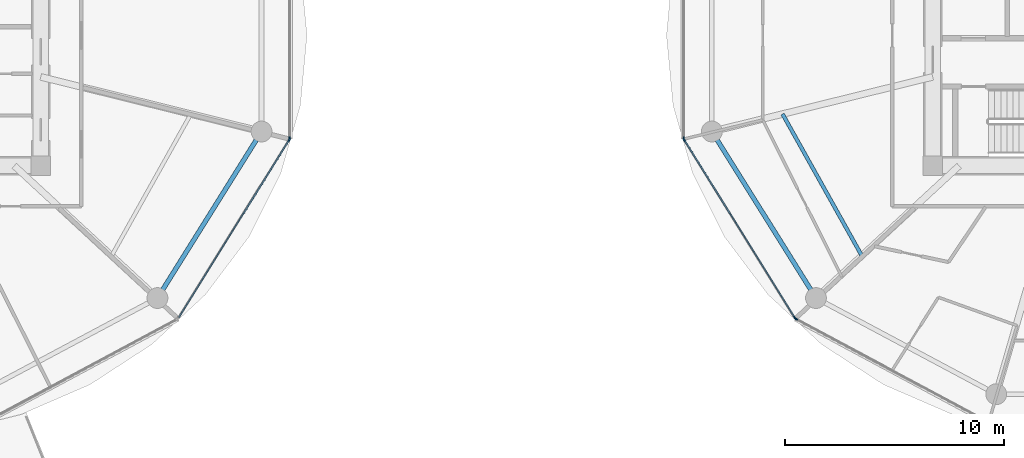
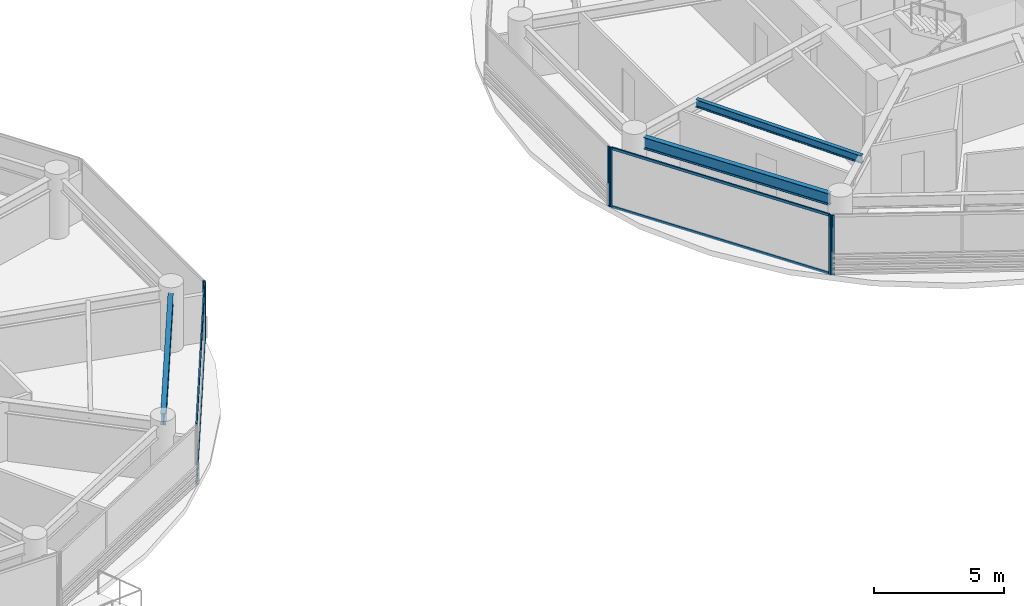
# One storey, part 6 of 28: 10 members, 3 beams, 5 elements without a shape of their own.
"""IFC4 building model written with IfcOpenShell, lengths in metres."""

from ifc_helpers import new_model, si_unit, direction, frame, origin, origin_2d, place, context, subcontext, project, spatial, rectangle, i_section, extrude, source, transform, mapped, material, layer, layer_set, material_profile, profile_set, type_object, type_shapes, element, aggregate, save


model = new_model("IFC4")

# Units and contexts
model_context = context("Model", 3, precision=1e-05, world=origin(), true_north=direction((0.0, 1.0)))
body_context = subcontext(model_context, "Body", "Model", "MODEL_VIEW")
ifc_project = project(units=[si_unit("LENGTHUNIT", "METRE"), si_unit("AREAUNIT", "SQUARE_METRE"), si_unit("VOLUMEUNIT", "CUBIC_METRE"), si_unit("PLANEANGLEUNIT", "RADIAN"), si_unit("MASSUNIT", "GRAM", prefix="KILO")], contexts=[model_context])

# Site, building, storey
site_placement = place(None, origin())
site = spatial("IfcSite", under=ifc_project, at=site_placement, CompositionType="ELEMENT")
building_placement = place(site_placement, origin())
building = spatial("IfcBuilding", under=site, at=building_placement, Name="Norrkilde Senior Care Towers", CompositionType="ELEMENT")
storey_placement = place(building_placement, frame((0.0, 0.0, 39.89990234375)))
storey = spatial("IfcBuildingStorey", under=building, at=storey_placement, Name="L11", CompositionType="ELEMENT", Elevation=39.89990234375)

# Beams
ifc_material_1 = material(Name="Steel S355", Category="steel")
ifc_material_profile_1 = material_profile(ifc_material_1, i_section(OverallWidth=0.2099609375, OverallDepth=0.550048828125, WebThickness=0.010986328125, FlangeThickness=0.01708984375, FilletRadius=0.02392578125, at=origin_2d()), Name="IPE 550")
ifc_profile_set_1 = profile_set([ifc_material_profile_1], Name="Steel S355")
beam_type_1 = type_object("IfcBeamType", Name="Perimeter Ring Spandrel Z1 IPE550", PredefinedType="SPANDREL", material=ifc_profile_set_1)
shared_shape_1 = source(origin(), body_context, "Body", "SweptSolid", [
    extrude(i_section(OverallWidth=0.2099609375, OverallDepth=0.550048828125, WebThickness=0.010986328125, FlangeThickness=0.01708984375, FilletRadius=0.02392578125, at=origin_2d()), origin(), (0.0, 0.0, 1.0), 8.090576171875),
])
type_shapes(beam_type_1, [shared_shape_1])
for number, where, z_axis, x_axis, name in (
    (1, (-14.7939453125, -11.61669921875, 2.51513671875), (0.530004364821, 0.84799491347, 0.0), (-0.84799491347, 0.530004364821, 0.0), "L11 Drum W Perimeter Spandrel 11"),
    (2, (10.505859375, -4.755859375, 2.51513671875), (0.530004364821, -0.84799491347, 0.0), (0.84799491347, 0.530004364821, 0.0), "L11 Drum E Perimeter Spandrel 07"),
):
    element("IfcBeam", number, at=place(storey_placement, frame(where, z_axis=z_axis, x_axis=x_axis)), inside=storey, type_object=beam_type_1, Name=name, PredefinedType="SPANDREL", context=body_context, shape_type="MappedRepresentation", body=[
        mapped(shared_shape_1, transform((0.0, 0.0, 0.0), x_axis=(1.0, 0.0, 0.0), y_axis=(0.0, 1.0, 0.0), z_axis=(0.0, 0.0, 1.0), scale=1.0)),
    ])
ifc_material_profile_2 = material_profile(ifc_material_1, i_section(OverallWidth=0.169921875, OverallDepth=0.360107421875, WebThickness=0.008056640625, FlangeThickness=0.0126953125, FilletRadius=0.01806640625, at=origin_2d()), Name="IPE 360")
ifc_profile_set_2 = profile_set([ifc_material_profile_2], Name="Steel S355")
beam_type_2 = type_object("IfcBeamType", Name="Secondary Floor Joist IPE360", PredefinedType="JOIST", material=ifc_profile_set_2)
shared_shape_2 = source(origin(), body_context, "Body", "SweptSolid", [
    extrude(i_section(OverallWidth=0.169921875, OverallDepth=0.360107421875, WebThickness=0.008056640625, FlangeThickness=0.0126953125, FilletRadius=0.01806640625, at=origin_2d()), origin(), (0.0, 0.0, 1.0), 7.40771484375),
])
type_shapes(beam_type_2, [shared_shape_2])
beam_placement = place(storey_placement, frame((13.499267578125, -3.589111328125, 2.610107421875), z_axis=(0.488167754092, -0.872749817453, 0.0), x_axis=(0.872749817453, 0.488167754092, 0.0)))
element("IfcBeam", 3, at=beam_placement, inside=storey, type_object=beam_type_2, Name="L11 Drum E Secondary Floor Joist 3", PredefinedType="JOIST", context=body_context, shape_type="MappedRepresentation", body=[
    mapped(shared_shape_2, transform((0.0, 0.0, 0.0), x_axis=(1.0, 0.0, 0.0), y_axis=(0.0, 1.0, 0.0), z_axis=(0.0, 0.0, 1.0), scale=1.0)),
])

# Curtain wall, member
ifc_material_2 = material(Name="Triple Low-E Insulated Glazing", Category="glass")
ifc_layer = layer(ifc_material_2, 0.199951171875)
ifc_layer_set = layer_set([ifc_layer], Name="Triple Low-E Insulated Glazing")
curtain_wall_type = type_object("IfcCurtainWallType", Name="CW2 Zone 1 Memory Care Curtain Wall", PredefinedType="NOTDEFINED", material=ifc_layer_set)
curtain_wall_1_placement = place(storey_placement, origin())
curtain_wall_1 = element("IfcCurtainWall", 4, at=curtain_wall_1_placement, inside=storey, type_object=curtain_wall_type, Name="L11 Drum W Curtain Wall 10", PredefinedType="NOTDEFINED")
ifc_material_3 = material(Name="Anodised Aluminium", Category="aluminium")
ifc_material_profile_3 = material_profile(ifc_material_3, rectangle(XDim=0.06494140625, YDim=0.159912109375, at=origin_2d()), Name="ALU MULL 65x160")
ifc_profile_set_3 = profile_set([ifc_material_profile_3], Name="Anodised Aluminium")
member_type_1 = type_object("IfcMemberType", Name="Curtain Wall Mullion Z1-Z2 65x160", PredefinedType="MULLION", material=ifc_profile_set_3)
shared_shape_3 = source(origin(), body_context, "Body", "SweptSolid", [
    extrude(rectangle(XDim=0.06494140625, YDim=0.159912109375, at=origin_2d()), origin(), (0.0, 0.0, 1.0), 2.7900390625),
])
type_shapes(member_type_1, [shared_shape_3])
member_1_placement = place(storey_placement, frame((-9.0078125, -4.7587890625, 0.0), z_axis=(0.0, 0.0, 1.0), x_axis=(0.849305943117, -0.527900951871, 0.0)))
member_1 = element("IfcMember", 5, at=member_1_placement, type_object=member_type_1, Name="CW-2 mullion 1", PredefinedType="MULLION", context=body_context, shape_type="MappedRepresentation", body=[
    mapped(shared_shape_3, transform((0.0, 0.0, 0.0), x_axis=(1.0, 0.0, 0.0), y_axis=(0.0, 1.0, 0.0), z_axis=(0.0, 0.0, 1.0), scale=1.0)),
])

curtain_wall_2_placement = place(storey_placement, origin())
curtain_wall_2 = element("IfcCurtainWall", 6, at=curtain_wall_2_placement, inside=storey, type_object=curtain_wall_type, Name="L11 Drum W Curtain Wall 11", PredefinedType="NOTDEFINED")
member_2_placement = place(storey_placement, frame((-8.990478515625, -4.69873046875, 0.0), z_axis=(0.0, 0.0, 1.0), x_axis=(1.0, 0.0, 0.0)))
member_2 = element("IfcMember", 7, at=member_2_placement, type_object=member_type_1, Name="CW-2 mullion 2", PredefinedType="MULLION", context=body_context, shape_type="MappedRepresentation", body=[
    mapped(shared_shape_3, transform((0.0, 0.0, 0.0), x_axis=(1.0, 0.0, 0.0), y_axis=(0.0, 1.0, 0.0), z_axis=(0.0, 0.0, 1.0), scale=1.0)),
])
aggregate(curtain_wall_2, [member_2])

curtain_wall_3_placement = place(storey_placement, origin())
curtain_wall_3 = element("IfcCurtainWall", 8, at=curtain_wall_3_placement, inside=storey, type_object=curtain_wall_type, Name="L11 Drum E Curtain Wall 05", PredefinedType="NOTDEFINED")
member_3_placement = place(storey_placement, frame((8.990478515625, -4.69873046875, 0.0), z_axis=(0.0, 0.0, 1.0), x_axis=(-1.0, 0.0, 0.0)))
member_3 = element("IfcMember", 9, at=member_3_placement, type_object=member_type_1, Name="CW-2 mullion 1", PredefinedType="MULLION", context=body_context, shape_type="MappedRepresentation", body=[
    mapped(shared_shape_3, transform((0.0, 0.0, 0.0), x_axis=(1.0, 0.0, 0.0), y_axis=(0.0, 1.0, 0.0), z_axis=(0.0, 0.0, 1.0), scale=1.0)),
])
aggregate(curtain_wall_3, [member_3])

# Curtain wall, members
curtain_wall_4_placement = place(storey_placement, origin())
curtain_wall_4 = element("IfcCurtainWall", 10, at=curtain_wall_4_placement, inside=storey, type_object=curtain_wall_type, Name="L11 Drum E Curtain Wall 06", PredefinedType="NOTDEFINED")
member_4_placement = place(storey_placement, frame((14.06689453125, -12.898193359375, 0.0), z_axis=(0.0, 0.0, 1.0), x_axis=(-0.849305943117, -0.527900951871, 0.0)))
member_4 = element("IfcMember", 11, at=member_4_placement, type_object=member_type_1, Name="CW-2 mullion 1", PredefinedType="MULLION", context=body_context, shape_type="MappedRepresentation", body=[
    mapped(shared_shape_3, transform((0.0, 0.0, 0.0), x_axis=(1.0, 0.0, 0.0), y_axis=(0.0, 1.0, 0.0), z_axis=(0.0, 0.0, 1.0), scale=1.0)),
])
member_5_placement = place(storey_placement, frame((9.0078125, -4.7587890625, 0.0), z_axis=(0.0, 0.0, 1.0), x_axis=(-0.849305943117, -0.527900951871, 0.0)))
member_5 = element("IfcMember", 12, at=member_5_placement, type_object=member_type_1, Name="CW-2 mullion 2", PredefinedType="MULLION", context=body_context, shape_type="MappedRepresentation", body=[
    mapped(shared_shape_3, transform((0.0, 0.0, 0.0), x_axis=(1.0, 0.0, 0.0), y_axis=(0.0, 1.0, 0.0), z_axis=(0.0, 0.0, 1.0), scale=1.0)),
])

# Curtain wall, member
curtain_wall_5_placement = place(storey_placement, origin())
curtain_wall_5 = element("IfcCurtainWall", 13, at=curtain_wall_5_placement, inside=storey, type_object=curtain_wall_type, Name="L11 Drum E Curtain Wall 07", PredefinedType="NOTDEFINED")
member_6_placement = place(storey_placement, frame((14.11279296875, -12.941162109375, 0.0), z_axis=(0.0, 0.0, 1.0), x_axis=(-0.472607802456, -0.881272866403, 0.0)))
member_6 = element("IfcMember", 14, at=member_6_placement, type_object=member_type_1, Name="CW-2 mullion 2", PredefinedType="MULLION", context=body_context, shape_type="MappedRepresentation", body=[
    mapped(shared_shape_3, transform((0.0, 0.0, 0.0), x_axis=(1.0, 0.0, 0.0), y_axis=(0.0, 1.0, 0.0), z_axis=(0.0, 0.0, 1.0), scale=1.0)),
])
aggregate(curtain_wall_5, [member_6])

# Member
ifc_material_profile_4 = material_profile(ifc_material_3, rectangle(XDim=0.06005859375, YDim=0.1201171875, at=origin_2d()), Name="ALU TRAN 60x120")
ifc_profile_set_4 = profile_set([ifc_material_profile_4], Name="Anodised Aluminium")
member_type_2 = type_object("IfcMemberType", Name="Curtain Wall Transom Typical 60x120", PredefinedType="USERDEFINED", material=ifc_profile_set_4)
shared_shape_4 = source(origin(), body_context, "Body", "SweptSolid", [
    extrude(rectangle(XDim=0.06005859375, YDim=0.1201171875, at=origin_2d()), origin(), (0.0, 0.0, 1.0), 9.5185546875),
])
type_shapes(member_type_2, [shared_shape_4])
member_7_placement = place(storey_placement, frame((-9.02490234375, -4.786376953125, 0.030029296875), z_axis=(-0.527901620669, -0.849305527413, 0.0), x_axis=(0.849305527413, -0.527901620669, 0.0)))
member_7 = element("IfcMember", 15, at=member_7_placement, type_object=member_type_2, Name="CW-2 transom 1.1", ObjectType="TRANSOM", PredefinedType="USERDEFINED", context=body_context, shape_type="MappedRepresentation", body=[
    mapped(shared_shape_4, transform((0.0, 0.0, 0.0), x_axis=(1.0, 0.0, 0.0), y_axis=(0.0, 1.0, 0.0), z_axis=(0.0, 0.0, 1.0), scale=1.0)),
])

member_8_placement = place(storey_placement, frame((-9.02490234375, -4.786376953125, 2.760009765625), z_axis=(-0.527901620669, -0.849305527413, 0.0), x_axis=(0.849305527413, -0.527901620669, 0.0)))
member_8 = element("IfcMember", 16, at=member_8_placement, type_object=member_type_2, Name="CW-2 transom 1.2", ObjectType="TRANSOM", PredefinedType="USERDEFINED", context=body_context, shape_type="MappedRepresentation", body=[
    mapped(shared_shape_4, transform((0.0, 0.0, 0.0), x_axis=(1.0, 0.0, 0.0), y_axis=(0.0, 1.0, 0.0), z_axis=(0.0, 0.0, 1.0), scale=1.0)),
])

aggregate(curtain_wall_1, [member_1, member_7, member_8])

member_9_placement = place(storey_placement, frame((14.0498046875, -12.87060546875, 0.030029296875), z_axis=(-0.527901620669, 0.849305527413, 0.0), x_axis=(-0.849305527413, -0.527901620669, 0.0)))
member_9 = element("IfcMember", 17, at=member_9_placement, type_object=member_type_2, Name="CW-2 transom 1.1", ObjectType="TRANSOM", PredefinedType="USERDEFINED", context=body_context, shape_type="MappedRepresentation", body=[
    mapped(shared_shape_4, transform((0.0, 0.0, 0.0), x_axis=(1.0, 0.0, 0.0), y_axis=(0.0, 1.0, 0.0), z_axis=(0.0, 0.0, 1.0), scale=1.0)),
])

member_10_placement = place(storey_placement, frame((14.0498046875, -12.87060546875, 2.760009765625), z_axis=(-0.527901620669, 0.849305527413, 0.0), x_axis=(-0.849305527413, -0.527901620669, 0.0)))
member_10 = element("IfcMember", 18, at=member_10_placement, type_object=member_type_2, Name="CW-2 transom 1.2", ObjectType="TRANSOM", PredefinedType="USERDEFINED", context=body_context, shape_type="MappedRepresentation", body=[
    mapped(shared_shape_4, transform((0.0, 0.0, 0.0), x_axis=(1.0, 0.0, 0.0), y_axis=(0.0, 1.0, 0.0), z_axis=(0.0, 0.0, 1.0), scale=1.0)),
])

aggregate(curtain_wall_4, [member_4, member_5, member_9, member_10])

save(model, "model.ifc")
